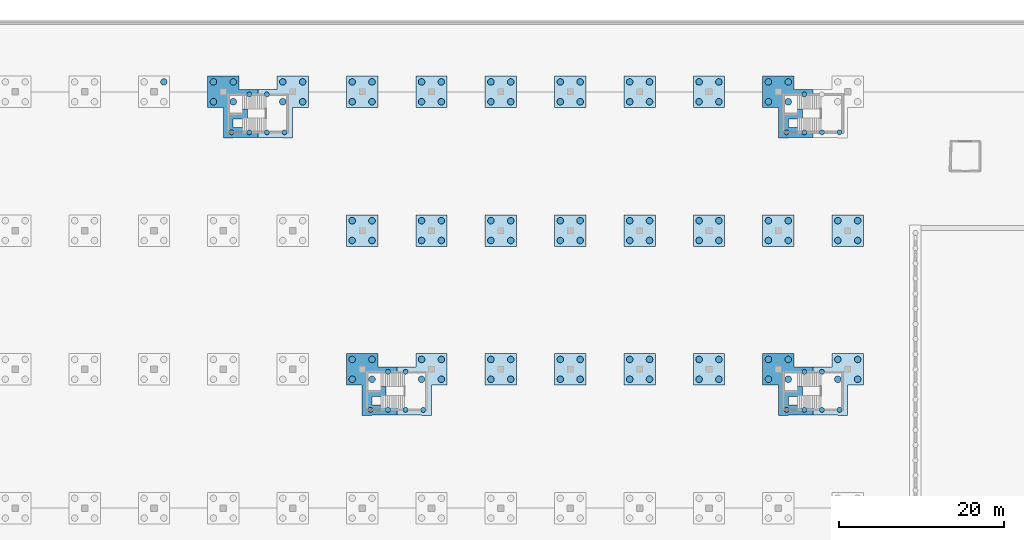
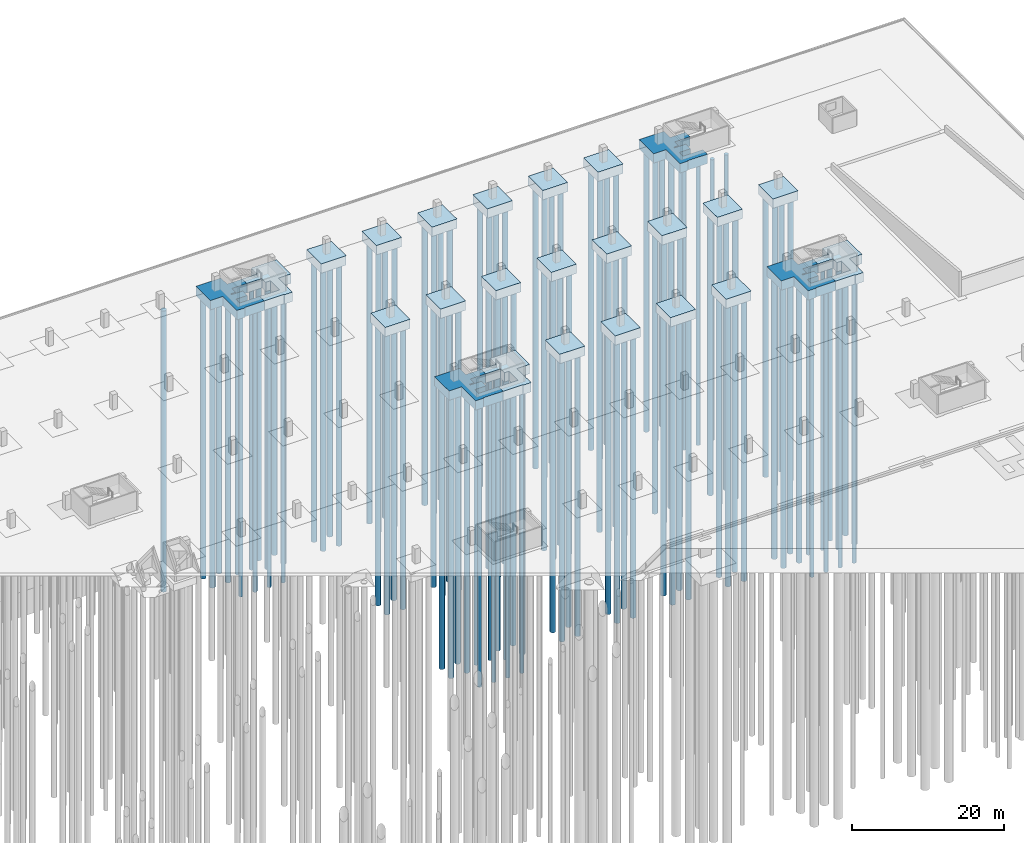
# One storey, part 24 of 67: 124 piles, 25 footings.
"""IFC4 building model written with IfcOpenShell, lengths in metres."""

from ifc_helpers import new_model, si_unit, direction, frame, origin, origin_2d, place, context, subcontext, project, spatial, polyline, circle, outline, extrude, material, material_profile, profile_set, type_object, element, save


model = new_model("IFC4")

# Units and contexts
model_context = context("Model", 3, precision=1e-05, world=origin(), true_north=direction((0.0, 1.0)))
body_context = subcontext(model_context, "Body", "Model", "MODEL_VIEW")
ifc_project = project(units=[si_unit("LENGTHUNIT", "METRE"), si_unit("AREAUNIT", "SQUARE_METRE"), si_unit("VOLUMEUNIT", "CUBIC_METRE"), si_unit("PLANEANGLEUNIT", "RADIAN"), si_unit("MASSUNIT", "GRAM", prefix="KILO")], contexts=[model_context])

# Site, building, storey
site_placement = place(None, origin())
site = spatial("IfcSite", under=ifc_project, at=site_placement, CompositionType="ELEMENT")
building_placement = place(site_placement, origin())
building = spatial("IfcBuilding", under=site, at=building_placement, Name="Rain Tree Exposition and Congress Centre", CompositionType="ELEMENT")
storey_placement = place(building_placement, frame((0.0, 0.0, -3.0)))
storey = spatial("IfcBuildingStorey", under=building, at=storey_placement, Name="B1", CompositionType="ELEMENT", Elevation=-3.0)

# Piles
ifc_material_1 = material(Name="Concrete C35/45", Category="concrete")
ifc_material_profile_1 = material_profile(ifc_material_1, circle(Radius=0.300048828125, at=origin_2d()), Name="D600")
ifc_profile_set_1 = profile_set([ifc_material_profile_1], Name="Concrete C35/45")
pile_type_1 = type_object("IfcPileType", Name="Bored pile D600", PredefinedType="BORED", material=ifc_profile_set_1)
for number, where, z_axis, x_axis, name in (
    (1, (185.800048828125, 247.10009765625, -1.425048828125), (0.0, 0.0, -1.0), (1.0, 0.0, 0.0), "Bored pile 1228"),
    (2, (187.933349609375, 247.10009765625, -1.425048828125), (0.0, 0.0, -1.0), (1.0, 0.0, 0.0), "Bored pile 1231"),
    (3, (187.933349609375, 251.699951171875, -1.425048828125), (0.0, 0.0, -1.0), (1.0, 0.0, 0.0), "Bored pile 1232"),
    (4, (190.066650390625, 247.10009765625, -1.425048828125), (0.0, 0.0, -1.0), (1.0, 0.0, 0.0), "Bored pile 1233"),
    (5, (190.066650390625, 251.699951171875, -1.425048828125), (0.0, 0.0, -1.0), (1.0, 0.0, 0.0), "Bored pile 1234"),
    (6, (192.199951171875, 247.10009765625, -1.425048828125), (0.0, 0.0, -1.0), (1.0, 0.0, 0.0), "Bored pile 1237"),
    (7, (169.0, 280.699951171875, -1.425048828125), (0.0, 0.0, -1.0), (1.0, 0.0, 0.0), "Bored pile 1286"),
    (8, (171.13330078125, 280.699951171875, -1.425048828125), (0.0, 0.0, -1.0), (1.0, 0.0, 0.0), "Bored pile 1289"),
    (9, (171.13330078125, 285.300048828125, -1.425048828125), (0.0, 0.0, -1.0), (1.0, 0.0, 0.0), "Bored pile 1290"),
    (10, (173.2666015625, 280.699951171875, -1.425048828125), (0.0, 0.0, -1.0), (1.0, 0.0, 0.0), "Bored pile 1291"),
    (11, (173.2666015625, 285.300048828125, -1.425048828125), (0.0, 0.0, -1.0), (1.0, 0.0, 0.0), "Bored pile 1292"),
    (12, (175.39990234375, 280.699951171875, -1.425048828125), (0.0, 0.0, -1.0), (1.0, 0.0, 0.0), "Bored pile 1295"),
    (13, (236.199951171875, 247.10009765625, -1.425048828125), (0.0, 0.0, -1.0), (1.0, 0.0, 0.0), "Bored pile 1442"),
    (14, (238.333251953125, 247.10009765625, -1.425048828125), (0.0, 0.0, -1.0), (1.0, 0.0, 0.0), "Bored pile 1445"),
    (15, (238.333251953125, 251.699951171875, -1.425048828125), (0.0, 0.0, -1.0), (1.0, 0.0, 0.0), "Bored pile 1446"),
    (16, (240.466796875, 247.10009765625, -1.425048828125), (0.0, 0.0, -1.0), (1.0, 0.0, 0.0), "Bored pile 1447"),
    (17, (240.466796875, 251.699951171875, -1.425048828125), (0.0, 0.0, -1.0), (1.0, 0.0, 0.0), "Bored pile 1448"),
    (18, (242.60009765625, 247.10009765625, -1.425048828125), (0.0, 0.0, -1.0), (1.0, 0.0, 0.0), "Bored pile 1451"),
    (19, (236.199951171875, 280.699951171875, -1.425048828125), (0.0, 0.0, -1.0), (1.0, 0.0, 0.0), "Bored pile 1514"),
    (20, (238.333251953125, 280.699951171875, -1.425048828125), (0.0, 0.0, -1.0), (1.0, 0.0, 0.0), "Bored pile 1517"),
    (21, (238.333251953125, 285.300048828125, -1.425048828125), (0.0, 0.0, -1.0), (1.0, 0.0, 0.0), "Bored pile 1518"),
    (22, (240.466796875, 280.699951171875, -1.425048828125), (0.0, 0.0, -1.0), (1.0, 0.0, 0.0), "Bored pile 1519"),
    (23, (242.60009765625, 280.699951171875, -1.425048828125), (0.0, 0.0, -1.0), (1.0, 0.0, 0.0), "Bored pile 1523"),
):
    element("IfcPile", number, at=place(storey_placement, frame(where, z_axis=z_axis, x_axis=x_axis)), inside=storey, type_object=pile_type_1, Name=name, PredefinedType="BORED", context=body_context, shape_type="SweptSolid", body=[
        extrude(circle(Radius=0.300048828125, at=origin_2d()), origin(), (0.0, 0.0, 1.0), 45.074951171875),
    ])
ifc_material_2 = material(Name="Concrete C35/45", Category="concrete")
ifc_material_profile_2 = material_profile(ifc_material_2, circle(Radius=0.39990234375, at=origin_2d()), Name="D800")
ifc_profile_set_2 = profile_set([ifc_material_profile_2], Name="Concrete C35/45")
pile_type_2 = type_object("IfcPileType", Name="Bored pile D800", PredefinedType="BORED", material=ifc_profile_set_2)
for number, where, z_axis, x_axis, name in (
    (24, (160.800048828125, 286.800048828125, -1.425048828125), (0.0, 0.0, -1.0), (1.0, 0.0, 0.0), "Bored pile 1096"),
    (25, (183.60009765625, 250.800048828125, -1.425048828125), (0.0, 0.0, -1.0), (1.0, 0.0, 0.0), "Bored pile 1226"),
    (26, (183.60009765625, 253.199951171875, -1.425048828125), (0.0, 0.0, -1.0), (1.0, 0.0, 0.0), "Bored pile 1227"),
    (27, (186.0, 250.800048828125, -1.425048828125), (0.0, 0.0, -1.0), (1.0, 0.0, 0.0), "Bored pile 1229"),
    (28, (186.0, 253.199951171875, -1.425048828125), (0.0, 0.0, -1.0), (1.0, 0.0, 0.0), "Bored pile 1230"),
    (29, (192.0, 250.800048828125, -1.425048828125), (0.0, 0.0, -1.0), (1.0, 0.0, 0.0), "Bored pile 1235"),
    (30, (192.0, 253.199951171875, -1.425048828125), (0.0, 0.0, -1.0), (1.0, 0.0, 0.0), "Bored pile 1236"),
    (31, (194.39990234375, 250.800048828125, -1.425048828125), (0.0, 0.0, -1.0), (1.0, 0.0, 0.0), "Bored pile 1238"),
    (32, (194.39990234375, 253.199951171875, -1.425048828125), (0.0, 0.0, -1.0), (1.0, 0.0, 0.0), "Bored pile 1239"),
    (33, (200.39990234375, 250.800048828125, -1.425048828125), (0.0, 0.0, -1.0), (1.0, 0.0, 0.0), "Bored pile 1248"),
    (34, (202.800048828125, 250.800048828125, -1.425048828125), (0.0, 0.0, -1.0), (1.0, 0.0, 0.0), "Bored pile 1249"),
    (35, (200.39990234375, 253.199951171875, -1.425048828125), (0.0, 0.0, -1.0), (1.0, 0.0, 0.0), "Bored pile 1250"),
    (36, (202.800048828125, 253.199951171875, -1.425048828125), (0.0, 0.0, -1.0), (1.0, 0.0, 0.0), "Bored pile 1251"),
    (37, (208.800048828125, 250.800048828125, -1.425048828125), (0.0, 0.0, -1.0), (1.0, 0.0, 0.0), "Bored pile 1252"),
    (38, (211.199951171875, 250.800048828125, -1.425048828125), (0.0, 0.0, -1.0), (1.0, 0.0, 0.0), "Bored pile 1253"),
    (39, (208.800048828125, 253.199951171875, -1.425048828125), (0.0, 0.0, -1.0), (1.0, 0.0, 0.0), "Bored pile 1254"),
    (40, (211.199951171875, 253.199951171875, -1.425048828125), (0.0, 0.0, -1.0), (1.0, 0.0, 0.0), "Bored pile 1255"),
    (41, (208.800048828125, 267.60009765625, -1.425048828125), (0.0, 0.0, -1.0), (1.0, 0.0, 0.0), "Bored pile 1256"),
    (42, (211.199951171875, 267.60009765625, -1.425048828125), (0.0, 0.0, -1.0), (1.0, 0.0, 0.0), "Bored pile 1257"),
    (43, (208.800048828125, 270.0, -1.425048828125), (0.0, 0.0, -1.0), (1.0, 0.0, 0.0), "Bored pile 1258"),
    (44, (211.199951171875, 270.0, -1.425048828125), (0.0, 0.0, -1.0), (1.0, 0.0, 0.0), "Bored pile 1259"),
    (45, (200.39990234375, 267.60009765625, -1.425048828125), (0.0, 0.0, -1.0), (1.0, 0.0, 0.0), "Bored pile 1260"),
    (46, (202.800048828125, 267.60009765625, -1.425048828125), (0.0, 0.0, -1.0), (1.0, 0.0, 0.0), "Bored pile 1261"),
    (47, (200.39990234375, 270.0, -1.425048828125), (0.0, 0.0, -1.0), (1.0, 0.0, 0.0), "Bored pile 1262"),
    (48, (202.800048828125, 270.0, -1.425048828125), (0.0, 0.0, -1.0), (1.0, 0.0, 0.0), "Bored pile 1263"),
    (49, (217.199951171875, 267.60009765625, -1.425048828125), (0.0, 0.0, -1.0), (1.0, 0.0, 0.0), "Bored pile 1264"),
    (50, (219.60009765625, 267.60009765625, -1.425048828125), (0.0, 0.0, -1.0), (1.0, 0.0, 0.0), "Bored pile 1265"),
    (51, (217.199951171875, 270.0, -1.425048828125), (0.0, 0.0, -1.0), (1.0, 0.0, 0.0), "Bored pile 1266"),
    (52, (219.60009765625, 270.0, -1.425048828125), (0.0, 0.0, -1.0), (1.0, 0.0, 0.0), "Bored pile 1267"),
    (53, (192.0, 267.60009765625, -1.425048828125), (0.0, 0.0, -1.0), (1.0, 0.0, 0.0), "Bored pile 1268"),
    (54, (194.39990234375, 267.60009765625, -1.425048828125), (0.0, 0.0, -1.0), (1.0, 0.0, 0.0), "Bored pile 1269"),
    (55, (192.0, 270.0, -1.425048828125), (0.0, 0.0, -1.0), (1.0, 0.0, 0.0), "Bored pile 1270"),
    (56, (194.39990234375, 270.0, -1.425048828125), (0.0, 0.0, -1.0), (1.0, 0.0, 0.0), "Bored pile 1271"),
    (57, (183.60009765625, 267.60009765625, -1.425048828125), (0.0, 0.0, -1.0), (1.0, 0.0, 0.0), "Bored pile 1272"),
    (58, (186.0, 267.60009765625, -1.425048828125), (0.0, 0.0, -1.0), (1.0, 0.0, 0.0), "Bored pile 1273"),
    (59, (183.60009765625, 270.0, -1.425048828125), (0.0, 0.0, -1.0), (1.0, 0.0, 0.0), "Bored pile 1274"),
    (60, (186.0, 270.0, -1.425048828125), (0.0, 0.0, -1.0), (1.0, 0.0, 0.0), "Bored pile 1275"),
    (61, (166.800048828125, 284.39990234375, -1.425048828125), (0.0, 0.0, -1.0), (1.0, 0.0, 0.0), "Bored pile 1284"),
    (62, (166.800048828125, 286.800048828125, -1.425048828125), (0.0, 0.0, -1.0), (1.0, 0.0, 0.0), "Bored pile 1285"),
    (63, (169.199951171875, 284.39990234375, -1.425048828125), (0.0, 0.0, -1.0), (1.0, 0.0, 0.0), "Bored pile 1287"),
    (64, (169.199951171875, 286.800048828125, -1.425048828125), (0.0, 0.0, -1.0), (1.0, 0.0, 0.0), "Bored pile 1288"),
    (65, (175.199951171875, 284.39990234375, -1.425048828125), (0.0, 0.0, -1.0), (1.0, 0.0, 0.0), "Bored pile 1293"),
    (66, (175.199951171875, 286.800048828125, -1.425048828125), (0.0, 0.0, -1.0), (1.0, 0.0, 0.0), "Bored pile 1294"),
    (67, (177.60009765625, 284.39990234375, -1.425048828125), (0.0, 0.0, -1.0), (1.0, 0.0, 0.0), "Bored pile 1296"),
    (68, (177.60009765625, 286.800048828125, -1.425048828125), (0.0, 0.0, -1.0), (1.0, 0.0, 0.0), "Bored pile 1297"),
    (69, (200.39990234375, 284.39990234375, -1.425048828125), (0.0, 0.0, -1.0), (1.0, 0.0, 0.0), "Bored pile 1298"),
    (70, (202.800048828125, 284.39990234375, -1.425048828125), (0.0, 0.0, -1.0), (1.0, 0.0, 0.0), "Bored pile 1299"),
    (71, (200.39990234375, 286.800048828125, -1.425048828125), (0.0, 0.0, -1.0), (1.0, 0.0, 0.0), "Bored pile 1300"),
    (72, (202.800048828125, 286.800048828125, -1.425048828125), (0.0, 0.0, -1.0), (1.0, 0.0, 0.0), "Bored pile 1301"),
    (73, (192.0, 284.39990234375, -1.425048828125), (0.0, 0.0, -1.0), (1.0, 0.0, 0.0), "Bored pile 1302"),
    (74, (194.39990234375, 284.39990234375, -1.425048828125), (0.0, 0.0, -1.0), (1.0, 0.0, 0.0), "Bored pile 1303"),
    (75, (192.0, 286.800048828125, -1.425048828125), (0.0, 0.0, -1.0), (1.0, 0.0, 0.0), "Bored pile 1304"),
    (76, (194.39990234375, 286.800048828125, -1.425048828125), (0.0, 0.0, -1.0), (1.0, 0.0, 0.0), "Bored pile 1305"),
    (77, (183.60009765625, 284.39990234375, -1.425048828125), (0.0, 0.0, -1.0), (1.0, 0.0, 0.0), "Bored pile 1306"),
    (78, (186.0, 284.39990234375, -1.425048828125), (0.0, 0.0, -1.0), (1.0, 0.0, 0.0), "Bored pile 1307"),
    (79, (183.60009765625, 286.800048828125, -1.425048828125), (0.0, 0.0, -1.0), (1.0, 0.0, 0.0), "Bored pile 1308"),
    (80, (186.0, 286.800048828125, -1.425048828125), (0.0, 0.0, -1.0), (1.0, 0.0, 0.0), "Bored pile 1309"),
    (81, (208.800048828125, 284.39990234375, -1.425048828125), (0.0, 0.0, -1.0), (1.0, 0.0, 0.0), "Bored pile 1310"),
    (82, (211.199951171875, 284.39990234375, -1.425048828125), (0.0, 0.0, -1.0), (1.0, 0.0, 0.0), "Bored pile 1311"),
    (83, (208.800048828125, 286.800048828125, -1.425048828125), (0.0, 0.0, -1.0), (1.0, 0.0, 0.0), "Bored pile 1312"),
    (84, (211.199951171875, 286.800048828125, -1.425048828125), (0.0, 0.0, -1.0), (1.0, 0.0, 0.0), "Bored pile 1313"),
    (85, (234.0, 250.800048828125, -1.425048828125), (0.0, 0.0, -1.0), (1.0, 0.0, 0.0), "Bored pile 1440"),
    (86, (234.0, 253.199951171875, -1.425048828125), (0.0, 0.0, -1.0), (1.0, 0.0, 0.0), "Bored pile 1441"),
    (87, (236.39990234375, 250.800048828125, -1.425048828125), (0.0, 0.0, -1.0), (1.0, 0.0, 0.0), "Bored pile 1443"),
    (88, (236.39990234375, 253.199951171875, -1.425048828125), (0.0, 0.0, -1.0), (1.0, 0.0, 0.0), "Bored pile 1444"),
    (89, (242.39990234375, 250.800048828125, -1.425048828125), (0.0, 0.0, -1.0), (1.0, 0.0, 0.0), "Bored pile 1449"),
    (90, (242.39990234375, 253.199951171875, -1.425048828125), (0.0, 0.0, -1.0), (1.0, 0.0, 0.0), "Bored pile 1450"),
    (91, (244.800048828125, 250.800048828125, -1.425048828125), (0.0, 0.0, -1.0), (1.0, 0.0, 0.0), "Bored pile 1452"),
    (92, (244.800048828125, 253.199951171875, -1.425048828125), (0.0, 0.0, -1.0), (1.0, 0.0, 0.0), "Bored pile 1453"),
    (93, (217.199951171875, 250.800048828125, -1.425048828125), (0.0, 0.0, -1.0), (1.0, 0.0, 0.0), "Bored pile 1473"),
    (94, (219.60009765625, 250.800048828125, -1.425048828125), (0.0, 0.0, -1.0), (1.0, 0.0, 0.0), "Bored pile 1474"),
    (95, (217.199951171875, 253.199951171875, -1.425048828125), (0.0, 0.0, -1.0), (1.0, 0.0, 0.0), "Bored pile 1475"),
    (96, (219.60009765625, 253.199951171875, -1.425048828125), (0.0, 0.0, -1.0), (1.0, 0.0, 0.0), "Bored pile 1476"),
    (97, (225.60009765625, 250.800048828125, -1.425048828125), (0.0, 0.0, -1.0), (1.0, 0.0, 0.0), "Bored pile 1477"),
    (98, (228.0, 250.800048828125, -1.425048828125), (0.0, 0.0, -1.0), (1.0, 0.0, 0.0), "Bored pile 1478"),
    (99, (225.60009765625, 253.199951171875, -1.425048828125), (0.0, 0.0, -1.0), (1.0, 0.0, 0.0), "Bored pile 1479"),
    (100, (228.0, 253.199951171875, -1.425048828125), (0.0, 0.0, -1.0), (1.0, 0.0, 0.0), "Bored pile 1480"),
    (101, (242.39990234375, 267.60009765625, -1.425048828125), (0.0, 0.0, -1.0), (1.0, 0.0, 0.0), "Bored pile 1500"),
    (102, (244.800048828125, 267.60009765625, -1.425048828125), (0.0, 0.0, -1.0), (1.0, 0.0, 0.0), "Bored pile 1501"),
    (103, (242.39990234375, 270.0, -1.425048828125), (0.0, 0.0, -1.0), (1.0, 0.0, 0.0), "Bored pile 1502"),
    (104, (244.800048828125, 270.0, -1.425048828125), (0.0, 0.0, -1.0), (1.0, 0.0, 0.0), "Bored pile 1503"),
    (105, (225.60009765625, 267.60009765625, -1.425048828125), (0.0, 0.0, -1.0), (1.0, 0.0, 0.0), "Bored pile 1504"),
    (106, (228.0, 267.60009765625, -1.425048828125), (0.0, 0.0, -1.0), (1.0, 0.0, 0.0), "Bored pile 1505"),
    (107, (225.60009765625, 270.0, -1.425048828125), (0.0, 0.0, -1.0), (1.0, 0.0, 0.0), "Bored pile 1506"),
    (108, (228.0, 270.0, -1.425048828125), (0.0, 0.0, -1.0), (1.0, 0.0, 0.0), "Bored pile 1507"),
    (109, (234.0, 267.60009765625, -1.425048828125), (0.0, 0.0, -1.0), (1.0, 0.0, 0.0), "Bored pile 1508"),
    (110, (236.39990234375, 267.60009765625, -1.425048828125), (0.0, 0.0, -1.0), (1.0, 0.0, 0.0), "Bored pile 1509"),
    (111, (234.0, 270.0, -1.425048828125), (0.0, 0.0, -1.0), (1.0, 0.0, 0.0), "Bored pile 1510"),
    (112, (236.39990234375, 270.0, -1.425048828125), (0.0, 0.0, -1.0), (1.0, 0.0, 0.0), "Bored pile 1511"),
    (113, (234.0, 284.39990234375, -1.425048828125), (0.0, 0.0, -1.0), (1.0, 0.0, 0.0), "Bored pile 1512"),
    (114, (234.0, 286.800048828125, -1.425048828125), (0.0, 0.0, -1.0), (1.0, 0.0, 0.0), "Bored pile 1513"),
    (115, (236.39990234375, 284.39990234375, -1.425048828125), (0.0, 0.0, -1.0), (1.0, 0.0, 0.0), "Bored pile 1515"),
    (116, (236.39990234375, 286.800048828125, -1.425048828125), (0.0, 0.0, -1.0), (1.0, 0.0, 0.0), "Bored pile 1516"),
    (117, (225.60009765625, 284.39990234375, -1.425048828125), (0.0, 0.0, -1.0), (1.0, 0.0, 0.0), "Bored pile 1526"),
    (118, (228.0, 284.39990234375, -1.425048828125), (0.0, 0.0, -1.0), (1.0, 0.0, 0.0), "Bored pile 1527"),
    (119, (225.60009765625, 286.800048828125, -1.425048828125), (0.0, 0.0, -1.0), (1.0, 0.0, 0.0), "Bored pile 1528"),
    (120, (228.0, 286.800048828125, -1.425048828125), (0.0, 0.0, -1.0), (1.0, 0.0, 0.0), "Bored pile 1529"),
    (121, (217.199951171875, 284.39990234375, -1.425048828125), (0.0, 0.0, -1.0), (1.0, 0.0, 0.0), "Bored pile 1530"),
    (122, (219.60009765625, 284.39990234375, -1.425048828125), (0.0, 0.0, -1.0), (1.0, 0.0, 0.0), "Bored pile 1531"),
    (123, (217.199951171875, 286.800048828125, -1.425048828125), (0.0, 0.0, -1.0), (1.0, 0.0, 0.0), "Bored pile 1532"),
    (124, (219.60009765625, 286.800048828125, -1.425048828125), (0.0, 0.0, -1.0), (1.0, 0.0, 0.0), "Bored pile 1533"),
):
    element("IfcPile", number, at=place(storey_placement, frame(where, z_axis=z_axis, x_axis=x_axis)), inside=storey, type_object=pile_type_2, Name=name, PredefinedType="BORED", context=body_context, shape_type="SweptSolid", body=[
        extrude(circle(Radius=0.39990234375, at=origin_2d()), origin(), (0.0, 0.0, 1.0), 45.074951171875),
    ])

# Footings
ifc_material_3 = material(Name="Concrete C35/45", Category="concrete")
footing_type_1 = type_object("IfcFootingType", Name="Pile cap 1500 thick", PredefinedType="PILE_CAP", material=ifc_material_3)
footing_1_placement = place(storey_placement, frame((0.0, 0.0, -1.5)))
element("IfcFooting", 125, at=footing_1_placement, inside=storey, type_object=footing_type_1, Name="Pile cap 245", PredefinedType="PILE_CAP", context=body_context, shape_type="SweptSolid", body=[
    extrude(outline(polyline([(203.5, 250.10009765625), (203.5, 253.89990234375), (199.699951171875, 253.89990234375), (199.699951171875, 250.10009765625), (203.5, 250.10009765625)])), origin(), (0.0, 0.0, 1.0), 1.5),
])
footing_2_placement = place(storey_placement, frame((0.0, 0.0, -1.5)))
element("IfcFooting", 126, at=footing_2_placement, inside=storey, type_object=footing_type_1, Name="Pile cap 246", PredefinedType="PILE_CAP", context=body_context, shape_type="SweptSolid", body=[
    extrude(outline(polyline([(211.89990234375, 250.10009765625), (211.89990234375, 253.89990234375), (208.10009765625, 253.89990234375), (208.10009765625, 250.10009765625), (211.89990234375, 250.10009765625)])), origin(), (0.0, 0.0, 1.0), 1.5),
])
footing_3_placement = place(storey_placement, frame((0.0, 0.0, -1.5)))
element("IfcFooting", 127, at=footing_3_placement, inside=storey, type_object=footing_type_1, Name="Pile cap 247", PredefinedType="PILE_CAP", context=body_context, shape_type="SweptSolid", body=[
    extrude(outline(polyline([(211.89990234375, 266.89990234375), (211.89990234375, 270.699951171875), (208.10009765625, 270.699951171875), (208.10009765625, 266.89990234375), (211.89990234375, 266.89990234375)])), origin(), (0.0, 0.0, 1.0), 1.5),
])
footing_4_placement = place(storey_placement, frame((0.0, 0.0, -1.5)))
element("IfcFooting", 128, at=footing_4_placement, inside=storey, type_object=footing_type_1, Name="Pile cap 248", PredefinedType="PILE_CAP", context=body_context, shape_type="SweptSolid", body=[
    extrude(outline(polyline([(203.5, 266.89990234375), (203.5, 270.699951171875), (199.699951171875, 270.699951171875), (199.699951171875, 266.89990234375), (203.5, 266.89990234375)])), origin(), (0.0, 0.0, 1.0), 1.5),
])
footing_5_placement = place(storey_placement, frame((0.0, 0.0, -1.5)))
element("IfcFooting", 129, at=footing_5_placement, inside=storey, type_object=footing_type_1, Name="Pile cap 249", PredefinedType="PILE_CAP", context=body_context, shape_type="SweptSolid", body=[
    extrude(outline(polyline([(220.300048828125, 266.89990234375), (220.300048828125, 270.699951171875), (216.5, 270.699951171875), (216.5, 266.89990234375), (220.300048828125, 266.89990234375)])), origin(), (0.0, 0.0, 1.0), 1.5),
])
footing_6_placement = place(storey_placement, frame((0.0, 0.0, -1.5)))
element("IfcFooting", 130, at=footing_6_placement, inside=storey, type_object=footing_type_1, Name="Pile cap 250", PredefinedType="PILE_CAP", context=body_context, shape_type="SweptSolid", body=[
    extrude(outline(polyline([(195.10009765625, 266.89990234375), (195.10009765625, 270.699951171875), (191.300048828125, 270.699951171875), (191.300048828125, 266.89990234375), (195.10009765625, 266.89990234375)])), origin(), (0.0, 0.0, 1.0), 1.5),
])
footing_7_placement = place(storey_placement, frame((0.0, 0.0, -1.5)))
element("IfcFooting", 131, at=footing_7_placement, inside=storey, type_object=footing_type_1, Name="Pile cap 251", PredefinedType="PILE_CAP", context=body_context, shape_type="SweptSolid", body=[
    extrude(outline(polyline([(186.699951171875, 266.89990234375), (186.699951171875, 270.699951171875), (182.89990234375, 270.699951171875), (182.89990234375, 266.89990234375), (186.699951171875, 266.89990234375)])), origin(), (0.0, 0.0, 1.0), 1.5),
])
footing_8_placement = place(storey_placement, frame((0.0, 0.0, -1.5)))
element("IfcFooting", 132, at=footing_8_placement, inside=storey, type_object=footing_type_1, Name="Pile cap 254", PredefinedType="PILE_CAP", context=body_context, shape_type="SweptSolid", body=[
    extrude(outline(polyline([(203.5, 283.699951171875), (203.5, 287.5), (199.699951171875, 287.5), (199.699951171875, 283.699951171875), (203.5, 283.699951171875)])), origin(), (0.0, 0.0, 1.0), 1.5),
])
footing_9_placement = place(storey_placement, frame((0.0, 0.0, -1.5)))
element("IfcFooting", 133, at=footing_9_placement, inside=storey, type_object=footing_type_1, Name="Pile cap 255", PredefinedType="PILE_CAP", context=body_context, shape_type="SweptSolid", body=[
    extrude(outline(polyline([(195.10009765625, 283.699951171875), (195.10009765625, 287.5), (191.300048828125, 287.5), (191.300048828125, 283.699951171875), (195.10009765625, 283.699951171875)])), origin(), (0.0, 0.0, 1.0), 1.5),
])
footing_10_placement = place(storey_placement, frame((0.0, 0.0, -1.5)))
element("IfcFooting", 134, at=footing_10_placement, inside=storey, type_object=footing_type_1, Name="Pile cap 256", PredefinedType="PILE_CAP", context=body_context, shape_type="SweptSolid", body=[
    extrude(outline(polyline([(186.699951171875, 283.699951171875), (186.699951171875, 287.5), (182.89990234375, 287.5), (182.89990234375, 283.699951171875), (186.699951171875, 283.699951171875)])), origin(), (0.0, 0.0, 1.0), 1.5),
])
footing_11_placement = place(storey_placement, frame((0.0, 0.0, -1.5)))
element("IfcFooting", 135, at=footing_11_placement, inside=storey, type_object=footing_type_1, Name="Pile cap 257", PredefinedType="PILE_CAP", context=body_context, shape_type="SweptSolid", body=[
    extrude(outline(polyline([(211.89990234375, 283.699951171875), (211.89990234375, 287.5), (208.10009765625, 287.5), (208.10009765625, 283.699951171875), (211.89990234375, 283.699951171875)])), origin(), (0.0, 0.0, 1.0), 1.5),
])
footing_12_placement = place(storey_placement, frame((0.0, 0.0, -1.5)))
element("IfcFooting", 136, at=footing_12_placement, inside=storey, type_object=footing_type_1, Name="Pile cap 285", PredefinedType="PILE_CAP", context=body_context, shape_type="SweptSolid", body=[
    extrude(outline(polyline([(220.300048828125, 250.10009765625), (220.300048828125, 253.89990234375), (216.5, 253.89990234375), (216.5, 250.10009765625), (220.300048828125, 250.10009765625)])), origin(), (0.0, 0.0, 1.0), 1.5),
])
footing_13_placement = place(storey_placement, frame((0.0, 0.0, -1.5)))
element("IfcFooting", 137, at=footing_13_placement, inside=storey, type_object=footing_type_1, Name="Pile cap 286", PredefinedType="PILE_CAP", context=body_context, shape_type="SweptSolid", body=[
    extrude(outline(polyline([(228.699951171875, 250.10009765625), (228.699951171875, 253.89990234375), (224.89990234375, 253.89990234375), (224.89990234375, 250.10009765625), (228.699951171875, 250.10009765625)])), origin(), (0.0, 0.0, 1.0), 1.5),
])
footing_14_placement = place(storey_placement, frame((0.0, 0.0, -1.5)))
element("IfcFooting", 138, at=footing_14_placement, inside=storey, type_object=footing_type_1, Name="Pile cap 287", PredefinedType="PILE_CAP", context=body_context, shape_type="SweptSolid", body=[
    extrude(outline(polyline([(245.5, 266.89990234375), (245.5, 270.699951171875), (241.699951171875, 270.699951171875), (241.699951171875, 266.89990234375), (245.5, 266.89990234375)])), origin(), (0.0, 0.0, 1.0), 1.5),
])
footing_15_placement = place(storey_placement, frame((0.0, 0.0, -1.5)))
element("IfcFooting", 139, at=footing_15_placement, inside=storey, type_object=footing_type_1, Name="Pile cap 288", PredefinedType="PILE_CAP", context=body_context, shape_type="SweptSolid", body=[
    extrude(outline(polyline([(228.699951171875, 266.89990234375), (228.699951171875, 270.699951171875), (224.89990234375, 270.699951171875), (224.89990234375, 266.89990234375), (228.699951171875, 266.89990234375)])), origin(), (0.0, 0.0, 1.0), 1.5),
])
footing_16_placement = place(storey_placement, frame((0.0, 0.0, -1.5)))
element("IfcFooting", 140, at=footing_16_placement, inside=storey, type_object=footing_type_1, Name="Pile cap 289", PredefinedType="PILE_CAP", context=body_context, shape_type="SweptSolid", body=[
    extrude(outline(polyline([(237.10009765625, 266.89990234375), (237.10009765625, 270.699951171875), (233.300048828125, 270.699951171875), (233.300048828125, 266.89990234375), (237.10009765625, 266.89990234375)])), origin(), (0.0, 0.0, 1.0), 1.5),
])
footing_17_placement = place(storey_placement, frame((0.0, 0.0, -1.5)))
element("IfcFooting", 141, at=footing_17_placement, inside=storey, type_object=footing_type_1, Name="Pile cap 290", PredefinedType="PILE_CAP", context=body_context, shape_type="SweptSolid", body=[
    extrude(outline(polyline([(228.699951171875, 283.699951171875), (228.699951171875, 287.5), (224.89990234375, 287.5), (224.89990234375, 283.699951171875), (228.699951171875, 283.699951171875)])), origin(), (0.0, 0.0, 1.0), 1.5),
])
footing_18_placement = place(storey_placement, frame((0.0, 0.0, -1.5)))
element("IfcFooting", 142, at=footing_18_placement, inside=storey, type_object=footing_type_1, Name="Pile cap 291", PredefinedType="PILE_CAP", context=body_context, shape_type="SweptSolid", body=[
    extrude(outline(polyline([(220.300048828125, 283.699951171875), (220.300048828125, 287.5), (216.5, 287.5), (216.5, 283.699951171875), (220.300048828125, 283.699951171875)])), origin(), (0.0, 0.0, 1.0), 1.5),
])
ifc_material_4 = material(Name="Concrete C35/45", Category="concrete")
footing_type_2 = type_object("IfcFootingType", Name="Strip footing 1500 thick", PredefinedType="STRIP_FOOTING", material=ifc_material_4)
footing_19_placement = place(storey_placement, frame((0.0, 0.0, -1.5)))
element("IfcFooting", 143, at=footing_19_placement, inside=storey, type_object=footing_type_2, Name="Strip footing 034", PredefinedType="STRIP_FOOTING", context=body_context, shape_type="SweptSolid", body=[
    extrude(outline(polyline([(186.0, 246.39990234375), (186.0, 246.5), (189.0, 246.5), (189.0, 247.699951171875), (186.0, 247.699951171875), (186.0, 248.699951171875), (187.699951171875, 248.699951171875), (187.699951171875, 249.89990234375), (187.10009765625, 249.89990234375), (186.0, 249.89990234375), (186.0, 250.10009765625), (186.699951171875, 250.10009765625), (186.699951171875, 251.10009765625), (189.0, 251.10009765625), (189.0, 252.300048828125), (186.699951171875, 252.300048828125), (186.699951171875, 253.89990234375), (182.89990234375, 253.89990234375), (182.89990234375, 250.10009765625), (184.800048828125, 250.10009765625), (184.800048828125, 246.39990234375), (186.0, 246.39990234375)])), origin(), (0.0, 0.0, 1.0), 1.5),
])
footing_20_placement = place(storey_placement, frame((0.0, 0.0, -1.5)))
element("IfcFooting", 144, at=footing_20_placement, inside=storey, type_object=footing_type_2, Name="Strip footing 035", PredefinedType="STRIP_FOOTING", context=body_context, shape_type="SweptSolid", body=[
    extrude(outline(polyline([(191.300048828125, 252.300048828125), (189.0, 252.300048828125), (189.0, 251.10009765625), (191.300048828125, 251.10009765625), (191.300048828125, 250.10009765625), (192.0, 250.10009765625), (192.0, 247.699951171875), (189.0, 247.699951171875), (189.0, 246.5), (192.0, 246.5), (192.0, 246.39990234375), (193.199951171875, 246.39990234375), (193.199951171875, 247.0), (193.199951171875, 250.10009765625), (195.10009765625, 250.10009765625), (195.10009765625, 253.89990234375), (191.300048828125, 253.89990234375), (191.300048828125, 252.300048828125)])), origin(), (0.0, 0.0, 1.0), 1.5),
])
footing_21_placement = place(storey_placement, frame((0.0, 0.0, -1.5)))
element("IfcFooting", 145, at=footing_21_placement, inside=storey, type_object=footing_type_2, Name="Strip footing 036", PredefinedType="STRIP_FOOTING", context=body_context, shape_type="SweptSolid", body=[
    extrude(outline(polyline([(169.199951171875, 280.0), (169.199951171875, 280.10009765625), (172.199951171875, 280.10009765625), (172.199951171875, 281.300048828125), (169.199951171875, 281.300048828125), (169.199951171875, 282.300048828125), (170.89990234375, 282.300048828125), (170.89990234375, 283.5), (170.300048828125, 283.5), (169.199951171875, 283.5), (169.199951171875, 283.699951171875), (169.89990234375, 283.699951171875), (169.89990234375, 284.699951171875), (172.199951171875, 284.699951171875), (172.199951171875, 285.89990234375), (169.89990234375, 285.89990234375), (169.89990234375, 287.5), (166.10009765625, 287.5), (166.10009765625, 283.699951171875), (168.0, 283.699951171875), (168.0, 280.0), (169.199951171875, 280.0)])), origin(), (0.0, 0.0, 1.0), 1.5),
])
footing_22_placement = place(storey_placement, frame((0.0, 0.0, -1.5)))
element("IfcFooting", 146, at=footing_22_placement, inside=storey, type_object=footing_type_2, Name="Strip footing 037", PredefinedType="STRIP_FOOTING", context=body_context, shape_type="SweptSolid", body=[
    extrude(outline(polyline([(174.5, 285.89990234375), (172.199951171875, 285.89990234375), (172.199951171875, 284.699951171875), (174.5, 284.699951171875), (174.5, 283.699951171875), (175.199951171875, 283.699951171875), (175.199951171875, 281.300048828125), (172.199951171875, 281.300048828125), (172.199951171875, 280.10009765625), (175.199951171875, 280.10009765625), (175.199951171875, 280.0), (176.39990234375, 280.0), (176.39990234375, 280.60009765625), (176.39990234375, 283.699951171875), (178.300048828125, 283.699951171875), (178.300048828125, 287.5), (174.5, 287.5), (174.5, 285.89990234375)])), origin(), (0.0, 0.0, 1.0), 1.5),
])
footing_23_placement = place(storey_placement, frame((0.0, 0.0, -1.5)))
element("IfcFooting", 147, at=footing_23_placement, inside=storey, type_object=footing_type_2, Name="Strip footing 040", PredefinedType="STRIP_FOOTING", context=body_context, shape_type="SweptSolid", body=[
    extrude(outline(polyline([(236.39990234375, 246.39990234375), (236.39990234375, 246.5), (239.39990234375, 246.5), (239.39990234375, 247.699951171875), (236.39990234375, 247.699951171875), (236.39990234375, 248.699951171875), (238.10009765625, 248.699951171875), (238.10009765625, 249.89990234375), (237.5, 249.89990234375), (236.39990234375, 249.89990234375), (236.39990234375, 250.10009765625), (237.10009765625, 250.10009765625), (237.10009765625, 251.10009765625), (239.39990234375, 251.10009765625), (239.39990234375, 252.300048828125), (237.10009765625, 252.300048828125), (237.10009765625, 253.89990234375), (233.300048828125, 253.89990234375), (233.300048828125, 250.10009765625), (235.199951171875, 250.10009765625), (235.199951171875, 246.39990234375), (236.39990234375, 246.39990234375)])), origin(), (0.0, 0.0, 1.0), 1.5),
])
footing_24_placement = place(storey_placement, frame((0.0, 0.0, -1.5)))
element("IfcFooting", 148, at=footing_24_placement, inside=storey, type_object=footing_type_2, Name="Strip footing 041", PredefinedType="STRIP_FOOTING", context=body_context, shape_type="SweptSolid", body=[
    extrude(outline(polyline([(241.699951171875, 252.300048828125), (239.39990234375, 252.300048828125), (239.39990234375, 251.10009765625), (241.699951171875, 251.10009765625), (241.699951171875, 250.10009765625), (242.39990234375, 250.10009765625), (242.39990234375, 247.699951171875), (239.39990234375, 247.699951171875), (239.39990234375, 246.5), (242.39990234375, 246.5), (242.39990234375, 246.39990234375), (243.60009765625, 246.39990234375), (243.60009765625, 247.0), (243.60009765625, 250.10009765625), (245.5, 250.10009765625), (245.5, 253.89990234375), (241.699951171875, 253.89990234375), (241.699951171875, 252.300048828125)])), origin(), (0.0, 0.0, 1.0), 1.5),
])
footing_25_placement = place(storey_placement, frame((0.0, 0.0, -1.5)))
element("IfcFooting", 149, at=footing_25_placement, inside=storey, type_object=footing_type_2, Name="Strip footing 044", PredefinedType="STRIP_FOOTING", context=body_context, shape_type="SweptSolid", body=[
    extrude(outline(polyline([(236.39990234375, 280.0), (236.39990234375, 280.10009765625), (239.39990234375, 280.10009765625), (239.39990234375, 281.300048828125), (236.39990234375, 281.300048828125), (236.39990234375, 282.300048828125), (238.10009765625, 282.300048828125), (238.10009765625, 283.5), (237.5, 283.5), (236.39990234375, 283.5), (236.39990234375, 283.699951171875), (237.10009765625, 283.699951171875), (237.10009765625, 284.699951171875), (239.39990234375, 284.699951171875), (239.39990234375, 285.89990234375), (237.10009765625, 285.89990234375), (237.10009765625, 287.5), (233.300048828125, 287.5), (233.300048828125, 283.699951171875), (235.199951171875, 283.699951171875), (235.199951171875, 280.0), (236.39990234375, 280.0)])), origin(), (0.0, 0.0, 1.0), 1.5),
])

save(model, "model.ifc")
